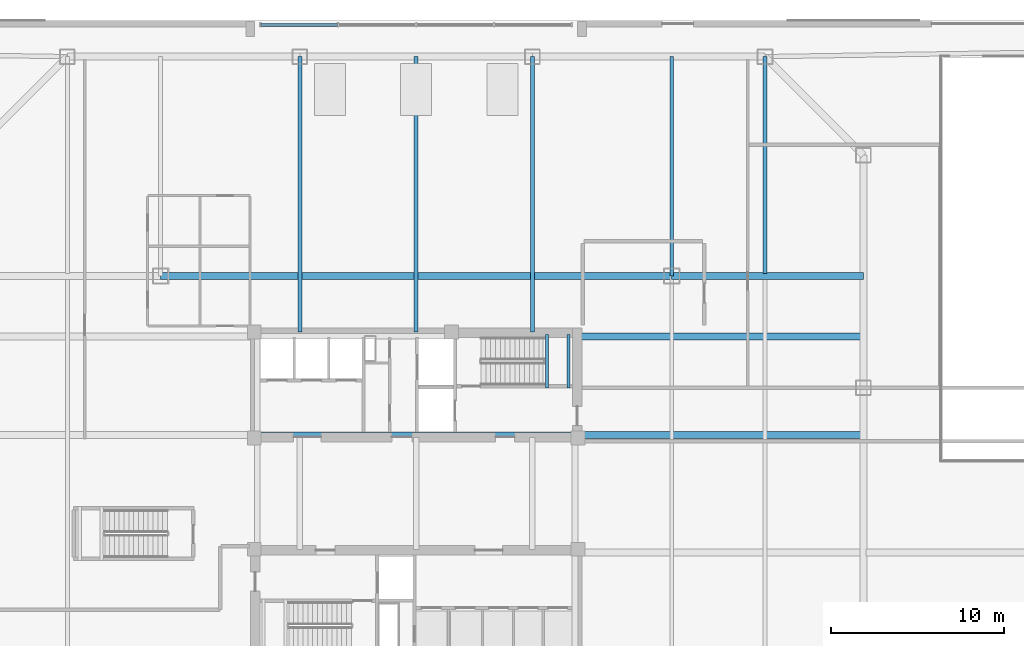
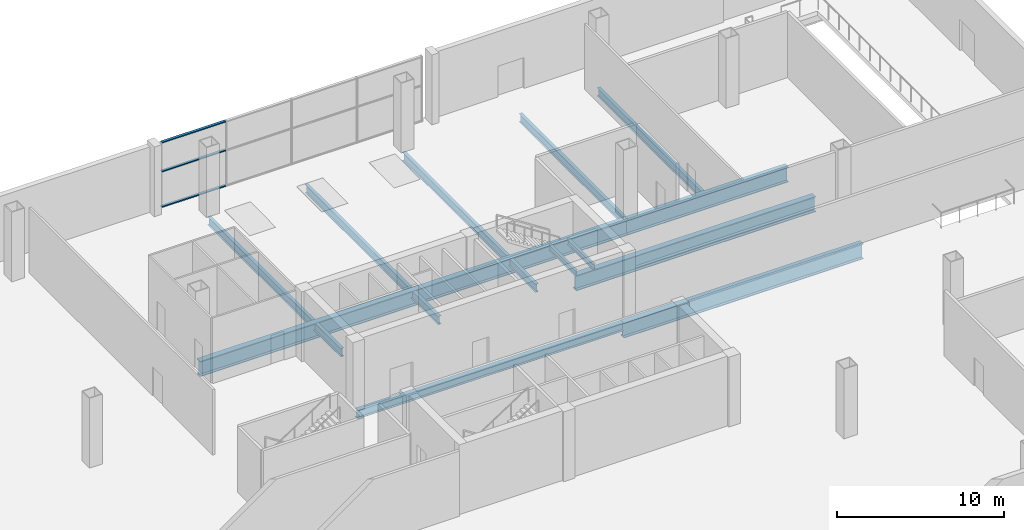
# One storey, part 9 of 21: 12 beams, 3 members, 1 element without a shape of its own.
"""IFC4 building model written with IfcOpenShell, lengths in metres."""

from ifc_helpers import new_model, si_unit, direction, frame, origin, origin_2d, place, context, subcontext, project, spatial, hollow_rectangle, i_section, extrude, material, layer, layer_set, material_profile, profile_set, type_object, element, aggregate, save


model = new_model("IFC4")

# Units and contexts
model_context = context("Model", 3, precision=1e-05, world=origin(), true_north=direction((0.0, 1.0)))
body_context = subcontext(model_context, "Body", "Model", "MODEL_VIEW")
ifc_project = project(units=[si_unit("LENGTHUNIT", "METRE"), si_unit("AREAUNIT", "SQUARE_METRE"), si_unit("VOLUMEUNIT", "CUBIC_METRE"), si_unit("PLANEANGLEUNIT", "RADIAN"), si_unit("MASSUNIT", "GRAM", prefix="KILO")], contexts=[model_context])

# Site, building, storey
site_placement = place(None, origin())
site = spatial("IfcSite", under=ifc_project, at=site_placement, CompositionType="ELEMENT")
building_placement = place(site_placement, origin())
building = spatial("IfcBuilding", under=site, at=building_placement, Name="Qhalaya Broadcast Tower", CompositionType="ELEMENT")
storey_placement = place(building_placement, origin())
storey = spatial("IfcBuildingStorey", under=building, at=storey_placement, Name="L00", CompositionType="ELEMENT", Elevation=0.0)

# Beams
ifc_material_1 = material(Name="Structural Steel ASTM A992 Grade 50", Category="steel")
ifc_material_profile_1 = material_profile(ifc_material_1, i_section(OverallWidth=0.22802734375, OverallDepth=0.60693359375, WebThickness=0.01123046875, FlangeThickness=0.017333984375, at=origin_2d()), Name="W24X76")
ifc_profile_set_1 = profile_set([ifc_material_profile_1], Name="Structural Steel ASTM A992 Grade 50")
beam_type_1 = type_object("IfcBeamType", Name="Composite Floor Joist J01", PredefinedType="JOIST", material=ifc_profile_set_1)
for number, where, z_axis, x_axis, name in (
    (1, (-6.7333984375, 9.949951171875, -0.62353515625), (0.0, 1.0, 0.0), (-1.0, 0.0, 0.0), "L00 J01 L00-JS-CN-6.7"),
    (2, (0.0, 9.949951171875, -0.62353515625), (0.0, 1.0, 0.0), (-1.0, 0.0, 0.0), "L00 J01 L00-JS-CN+0.0"),
    (3, (6.7333984375, 9.949951171875, -0.62353515625), (0.0, 1.0, 0.0), (-1.0, 0.0, 0.0), "L00 J01 L00-JS-CN+6.7"),
):
    element("IfcBeam", number, at=place(storey_placement, frame(where, z_axis=z_axis, x_axis=x_axis)), inside=storey, type_object=beam_type_1, Name=name, PredefinedType="JOIST", context=body_context, shape_type="SweptSolid", body=[
        extrude(i_section(OverallWidth=0.22802734375, OverallDepth=0.60693359375, WebThickness=0.01123046875, FlangeThickness=0.017333984375, at=origin_2d()), origin(), (0.0, 0.0, 1.0), 15.949951171875),
    ])
beam_1_placement = place(storey_placement, frame((14.800048828125, 13.199951171875, -0.62353515625), z_axis=(0.0, 1.0, 0.0), x_axis=(-1.0, 0.0, 0.0)))
element("IfcBeam", 4, at=beam_1_placement, inside=storey, type_object=beam_type_1, Name="L00 J01 L00-JS-N+14.8", PredefinedType="JOIST", context=body_context, shape_type="SweptSolid", body=[
    extrude(i_section(OverallWidth=0.22802734375, OverallDepth=0.60693359375, WebThickness=0.01123046875, FlangeThickness=0.017333984375, at=origin_2d()), origin(), (0.0, 0.0, 1.0), 12.699951171875),
])
beam_2_placement = place(storey_placement, frame((20.199951171875, 13.340087890625, -0.62353515625), z_axis=(0.0, 1.0, 0.0), x_axis=(-1.0, 0.0, 0.0)))
element("IfcBeam", 5, at=beam_2_placement, inside=storey, type_object=beam_type_1, Name="L00 J01 L00-JS-N+20.2", PredefinedType="JOIST", context=body_context, shape_type="SweptSolid", body=[
    extrude(i_section(OverallWidth=0.22802734375, OverallDepth=0.60693359375, WebThickness=0.01123046875, FlangeThickness=0.017333984375, at=origin_2d()), origin(), (0.0, 0.0, 1.0), 12.559814453125),
])
ifc_material_profile_2 = material_profile(ifc_material_1, i_section(OverallWidth=0.323974609375, OverallDepth=0.612060546875, WebThickness=0.0126953125, FlangeThickness=0.01904296875, at=origin_2d()), Name="W24X104")
ifc_profile_set_2 = profile_set([ifc_material_profile_2], Name="Structural Steel ASTM A992 Grade 50")
beam_type_2 = type_object("IfcBeamType", Name="Core Frame Tie Beam B04", PredefinedType="BEAM", material=ifc_profile_set_2)
beam_3_placement = place(storey_placement, frame((-9.199951171875, 4.0, -0.6259765625), z_axis=(1.0, 0.0, 0.0), x_axis=(0.0, 1.0, 0.0)))
element("IfcBeam", 6, at=beam_3_placement, inside=storey, type_object=beam_type_2, Name="L00 B04 L00-CCN1", PredefinedType="BEAM", context=body_context, shape_type="SweptSolid", body=[
    extrude(i_section(OverallWidth=0.323974609375, OverallDepth=0.612060546875, WebThickness=0.0126953125, FlangeThickness=0.01904296875, at=origin_2d()), origin(), (0.0, 0.0, 1.0), 18.39990234375),
])
ifc_material_profile_3 = material_profile(ifc_material_1, i_section(OverallWidth=0.404052734375, OverallDepth=1.117919921875, WebThickness=0.026123046875, FlangeThickness=0.044921875, at=origin_2d()), Name="W44X335")
ifc_profile_set_3 = profile_set([ifc_material_profile_3], Name="Structural Steel ASTM A992 Grade 50")
beam_type_3 = type_object("IfcBeamType", Name="Podium Long-Span Primary Girder PG1", PredefinedType="USERDEFINED", material=ifc_profile_set_3)
beam_4_placement = place(storey_placement, frame((-14.800048828125, 13.199951171875, -0.87890625), z_axis=(1.0, 0.0, 0.0), x_axis=(0.0, 1.0, 0.0)))
element("IfcBeam", 7, at=beam_4_placement, inside=storey, type_object=beam_type_3, Name="L00 PG1 L00-PG-GN3", ObjectType="GIRDER", PredefinedType="USERDEFINED", context=body_context, shape_type="SweptSolid", body=[
    extrude(i_section(OverallWidth=0.404052734375, OverallDepth=1.117919921875, WebThickness=0.026123046875, FlangeThickness=0.044921875, at=origin_2d()), origin(), (0.0, 0.0, 1.0), 29.60009765625),
])
beam_5_placement = place(storey_placement, frame((14.800048828125, 13.199951171875, -0.87890625), z_axis=(1.0, 0.0, 0.0), x_axis=(0.0, 1.0, 0.0)))
element("IfcBeam", 8, at=beam_5_placement, inside=storey, type_object=beam_type_3, Name="L00 PG1 L00-PG-GN4", ObjectType="GIRDER", PredefinedType="USERDEFINED", context=body_context, shape_type="SweptSolid", body=[
    extrude(i_section(OverallWidth=0.404052734375, OverallDepth=1.117919921875, WebThickness=0.026123046875, FlangeThickness=0.044921875, at=origin_2d()), origin(), (0.0, 0.0, 1.0), 11.099853515625),
])
for number, where, z_axis, x_axis, name in (
    (9, (9.199951171875, 4.0, -0.87890625), (1.0, 0.0, 0.0), (0.0, 1.0, 0.0), "L00 PG1 L00-PG-E3A"),
    (10, (9.199951171875, 9.699951171875, -0.87890625), (1.0, 0.0, 0.0), (0.0, 1.0, 0.0), "L00 PG1 L00-PG-E4A"),
):
    element("IfcBeam", number, at=place(storey_placement, frame(where, z_axis=z_axis, x_axis=x_axis)), inside=storey, type_object=beam_type_3, Name=name, ObjectType="GIRDER", PredefinedType="USERDEFINED", context=body_context, shape_type="SweptSolid", body=[
        extrude(i_section(OverallWidth=0.404052734375, OverallDepth=1.117919921875, WebThickness=0.026123046875, FlangeThickness=0.044921875, at=origin_2d()), origin(), (0.0, 0.0, 1.0), 16.56005859375),
    ])

# Curtain wall, members
ifc_material_2 = material(Name="Solar-Control Low-E Triple Glazing", Category="glass")
ifc_layer = layer(ifc_material_2, 0.219970703125, Name="Solar-Control Low-E Triple Glazing")
ifc_layer_set = layer_set([ifc_layer], Name="Solar-Control Low-E Triple Glazing")
curtain_wall_type = type_object("IfcCurtainWallType", Name="Podium Concourse Triple-Height Glazed Portal CW-01", PredefinedType="NOTDEFINED", material=ifc_layer_set)
curtain_wall_placement = place(storey_placement, origin())
curtain_wall = element("IfcCurtainWall", 11, at=curtain_wall_placement, inside=storey, type_object=curtain_wall_type, Name="L00 Unitised Curtain Wall L00-CW01-N", PredefinedType="NOTDEFINED")
ifc_material_3 = material(Name="Anodised Aluminium 6063-T6", Category="aluminium")
ifc_material_profile_4 = material_profile(ifc_material_3, hollow_rectangle(XDim=0.074951171875, YDim=0.179931640625, WallThickness=0.00390625, at=origin_2d()), Name="ALU-TRN 75x180x4")
ifc_profile_set_4 = profile_set([ifc_material_profile_4], Name="Anodised Aluminium 6063-T6")
member_type = type_object("IfcMemberType", Name="Unitised Curtain-Wall Transom T01", PredefinedType="USERDEFINED", material=ifc_profile_set_4)
member_1_placement = place(storey_placement, frame((-4.5625, 27.75, 0.03759765625), z_axis=(-1.0, 0.0, 0.0), x_axis=(0.0, 0.0, 1.0)))
member_1 = element("IfcMember", 12, at=member_1_placement, type_object=member_type, Name="CW-01 transom 4.1", ObjectType="TRANSOM", PredefinedType="USERDEFINED", context=body_context, shape_type="SweptSolid", body=[
    extrude(hollow_rectangle(XDim=0.074951171875, YDim=0.179931640625, WallThickness=0.00390625, at=origin_2d()), origin(), (0.0, 0.0, 1.0), 4.41259765625),
])
member_2_placement = place(storey_placement, frame((-4.5625, 27.75, 2.62890625), z_axis=(-1.0, 0.0, 0.0), x_axis=(0.0, 0.0, 1.0)))
member_2 = element("IfcMember", 13, at=member_2_placement, type_object=member_type, Name="CW-01 transom 4.2", ObjectType="TRANSOM", PredefinedType="USERDEFINED", context=body_context, shape_type="SweptSolid", body=[
    extrude(hollow_rectangle(XDim=0.074951171875, YDim=0.179931640625, WallThickness=0.00390625, at=origin_2d()), origin(), (0.0, 0.0, 1.0), 4.41259765625),
])
member_3_placement = place(storey_placement, frame((-4.5625, 27.75, 4.742431640625), z_axis=(-1.0, 0.0, 0.0), x_axis=(0.0, 0.0, 1.0)))
member_3 = element("IfcMember", 14, at=member_3_placement, type_object=member_type, Name="CW-01 transom 4.3", ObjectType="TRANSOM", PredefinedType="USERDEFINED", context=body_context, shape_type="SweptSolid", body=[
    extrude(hollow_rectangle(XDim=0.074951171875, YDim=0.179931640625, WallThickness=0.00390625, at=origin_2d()), origin(), (0.0, 0.0, 1.0), 4.41259765625),
])
aggregate(curtain_wall, [member_1, member_2, member_3])

# Beams
ifc_material_profile_5 = material_profile(ifc_material_1, i_section(OverallWidth=0.177978515625, OverallDepth=0.406005859375, WebThickness=0.0078125, FlangeThickness=0.0126953125, at=origin_2d()), Name="W16X40")
ifc_profile_set_5 = profile_set([ifc_material_profile_5], Name="Structural Steel ASTM A992 Grade 50")
beam_type_4 = type_object("IfcBeamType", Name="Upper Perimeter Spandrel Beam SP2", PredefinedType="SPANDREL", material=ifc_profile_set_5)
for number, where, z_axis, x_axis, name in (
    (15, (7.574951171875, 6.699951171875, 2.14697265625), (0.0, 1.0, 0.0), (-1.0, 0.0, 0.0), "L00 ST-1 Half-Landing Bearer Beam 1"),
    (16, (8.830078125, 6.699951171875, 2.14697265625), (0.0, 1.0, 0.0), (-1.0, 0.0, 0.0), "L00 ST-1 Half-Landing Bearer Beam 2"),
):
    element("IfcBeam", number, at=place(storey_placement, frame(where, z_axis=z_axis, x_axis=x_axis)), inside=storey, type_object=beam_type_4, Name=name, PredefinedType="SPANDREL", context=body_context, shape_type="SweptSolid", body=[
        extrude(i_section(OverallWidth=0.177978515625, OverallDepth=0.406005859375, WebThickness=0.0078125, FlangeThickness=0.0126953125, at=origin_2d()), origin(), (0.0, 0.0, 1.0), 3.1201171875),
    ])

save(model, "model.ifc")
